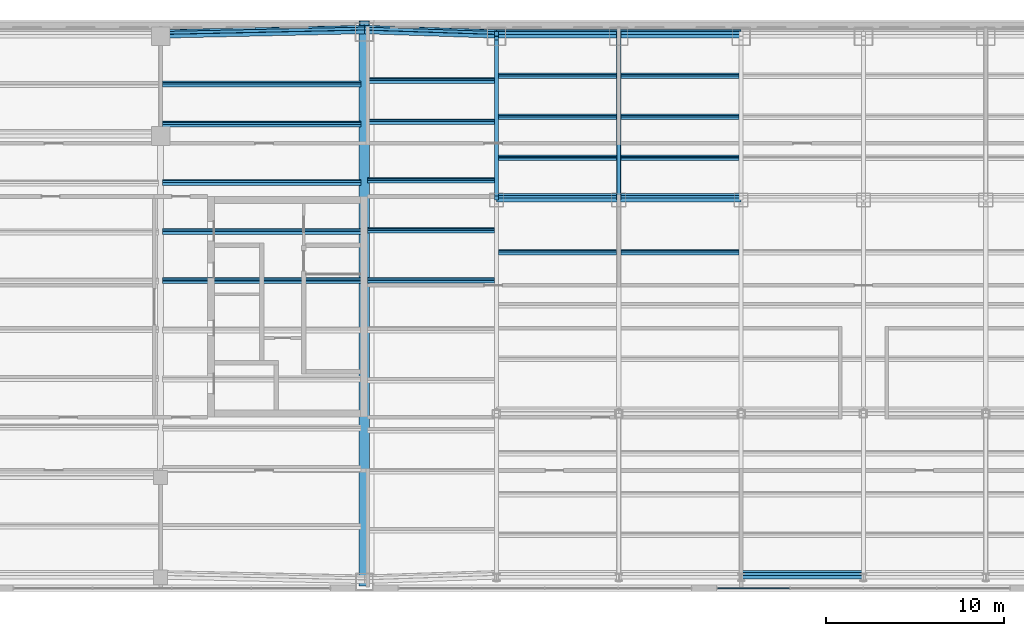
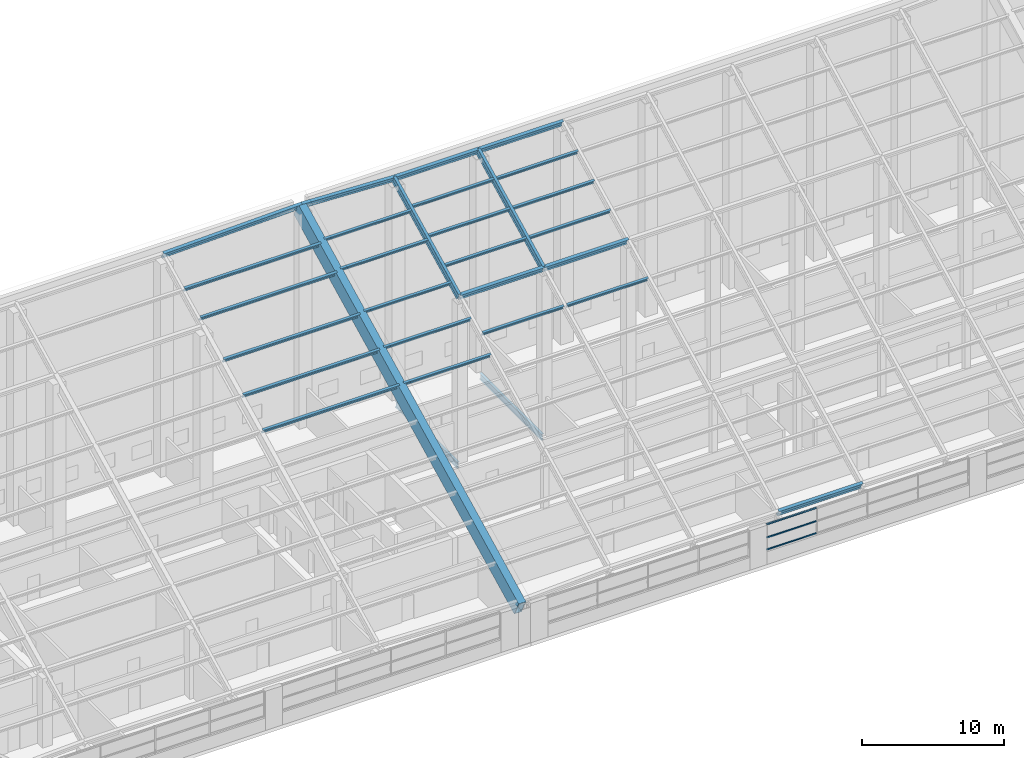
# One storey, part 9 of 28: 31 members, 2 beams, 1 element without a shape of its own.
"""IFC4 building model written with IfcOpenShell, lengths in metres."""

import ifcopenshell
import ifcopenshell.guid

model = None  # the IFC model being written
_history = None  # IfcOwnerHistory: only IFC2X3 demands one
_inside = {}  # id of a spatial element -> (the spatial element, [elements in it])
_under = {}  # id of a project, library or spatial element -> (it, [spatial elements below it])
_declared = {}  # id of a project -> (the project, [libraries it declares])
_typed = {}  # id of a type object -> (the type object, [elements of that type])
_made_of = {}  # id of a material, layer set ... -> (it, [elements and type objects made of it])


def new_model(schema):
    """Start an empty IFC model of exactly this schema.

    Asked for "IFC4X3", IfcOpenShell would pick the latest addendum, in which some entities
    have other attributes; the version numbers below select the first issue.
    IFC2X3 requires an IfcOwnerHistory on every rooted entity: one is made here for all.
    """
    global model, _history
    if schema == "IFC4X3":
        model = ifcopenshell.file(schema_version=(4, 3, 0, 0))
    else:
        model = ifcopenshell.file(schema=schema)
    _inside.clear()
    _under.clear()
    _declared.clear()
    _typed.clear()
    _made_of.clear()
    _history = None
    if model.schema == "IFC2X3":
        org = make("IfcOrganization", Name="unknown")
        user = make(
            "IfcPersonAndOrganization",
            ThePerson=make("IfcPerson", FamilyName="unknown"),
            TheOrganization=org,
        )
        app = make(
            "IfcApplication",
            ApplicationDeveloper=org,
            Version="unknown",
            ApplicationFullName="unknown",
            ApplicationIdentifier="unknown",
        )
        _history = make(
            "IfcOwnerHistory",
            OwningUser=user,
            OwningApplication=app,
            ChangeAction="ADDED",
            CreationDate=0,
        )
    return model


def make(cls, **values):
    """One entity of the class cls with the attributes given. An attribute that is None is left unset."""
    return model.create_entity(
        cls, **{name: value for name, value in values.items() if value is not None}
    )


def rooted(cls, **values):
    """An entity with a GlobalId (a new one), such as an element, a storey or a relation."""
    return make(cls, GlobalId=ifcopenshell.guid.new(), OwnerHistory=_history, **values)


def si_unit(unit_type, name, prefix=None):
    """IfcSIUnit, for example si_unit("LENGTHUNIT", "METRE", prefix="MILLI")."""
    return make("IfcSIUnit", UnitType=unit_type, Prefix=prefix, Name=name)


def assignment(units):
    """IfcUnitAssignment: the units of a project."""
    return None if units is None else make("IfcUnitAssignment", Units=units)


def point(xyz):
    """IfcCartesianPoint."""
    return None if xyz is None else make("IfcCartesianPoint", Coordinates=xyz)


def direction(xyz):
    """IfcDirection."""
    return None if xyz is None else make("IfcDirection", DirectionRatios=xyz)


def frame(location, z_axis=None, x_axis=None):
    """IfcAxis2Placement3D, a coordinate frame: its origin and axes. An axis left out is left unset."""
    return make(
        "IfcAxis2Placement3D",
        Location=point(location),
        Axis=direction(z_axis),
        RefDirection=direction(x_axis),
    )


def frame_2d(location, x_axis=None):
    """IfcAxis2Placement2D, a coordinate frame in the plane: its origin and x axis."""
    return make(
        "IfcAxis2Placement2D", Location=point(location), RefDirection=direction(x_axis)
    )


def origin():
    """The frame at (0, 0, 0) with its axes left unset."""
    return frame((0.0, 0.0, 0.0))


def origin_2d():
    """The frame at (0, 0) in the plane with its x axis left unset."""
    return frame_2d((0.0, 0.0))


def place(relative_to, where):
    """IfcLocalPlacement: puts the frame where relative to a parent placement (None: the world)."""
    return make(
        "IfcLocalPlacement", PlacementRelTo=relative_to, RelativePlacement=where
    )


def context(
    kind, dimensions, precision=None, world=None, true_north=None, identifier=None
):
    """IfcGeometricRepresentationContext, for example the 3D "Model" context."""
    return make(
        "IfcGeometricRepresentationContext",
        ContextIdentifier=identifier,
        ContextType=kind,
        CoordinateSpaceDimension=dimensions,
        Precision=precision,
        WorldCoordinateSystem=world,
        TrueNorth=true_north,
    )


def subcontext(parent, identifier, kind, view, scale=None):
    """IfcGeometricRepresentationSubContext, for example "Body" below "Model"."""
    return make(
        "IfcGeometricRepresentationSubContext",
        ContextIdentifier=identifier,
        ContextType=kind,
        ParentContext=parent,
        TargetScale=scale,
        TargetView=view,
    )


def project(units=None, contexts=None):
    """IfcProject with its units and contexts."""
    return rooted(
        "IfcProject",
        Name="project",
        RepresentationContexts=contexts,
        UnitsInContext=assignment(units),
    )


def spatial(cls, under=None, at=None, **own):
    """A site, building, storey or space (cls), placed at a placement, below another one or the project."""
    s = rooted(cls, ObjectPlacement=at, **own)
    if under is not None:
        _under.setdefault(under.id(), (under, []))[1].append(s)
    return s


def profile(cls, at=None, kind="AREA", **sizes):
    """A parametric profile (cls). Its sizes go by their IFC names, for example OverallWidth=200.0."""
    return make(cls, ProfileType=kind, Position=at, **sizes)


def rectangle(**sizes):
    """IfcRectangleProfileDef."""
    return profile("IfcRectangleProfileDef", **sizes)


def hollow_rectangle(**sizes):
    """IfcRectangleHollowProfileDef."""
    return profile("IfcRectangleHollowProfileDef", **sizes)


def i_section(**sizes):
    """IfcIShapeProfileDef."""
    return profile("IfcIShapeProfileDef", **sizes)


def extrude(swept, where, along, depth):
    """IfcExtrudedAreaSolid: the profile swept, set in the frame where, extruded along a direction by depth."""
    return make(
        "IfcExtrudedAreaSolid",
        SweptArea=swept,
        Position=where,
        ExtrudedDirection=direction(along),
        Depth=depth,
    )


def shape(context_of_items, identifier, shape_type, items):
    """IfcShapeRepresentation: the items that make up one representation, for example the "Body"."""
    return make(
        "IfcShapeRepresentation",
        ContextOfItems=context_of_items,
        RepresentationIdentifier=identifier,
        RepresentationType=shape_type,
        Items=items,
    )


def material(Name=None, Category=None):
    """IfcMaterial."""
    return make("IfcMaterial", Name=Name, Category=Category)


def material_profile(
    of_material, cross_section, Name=None, Category=None, Priority=None
):
    """IfcMaterialProfile: a cross section and its material."""
    return make(
        "IfcMaterialProfile",
        Name=Name,
        Material=of_material,
        Profile=cross_section,
        Priority=Priority,
        Category=Category,
    )


def profile_set(profiles, Name=None, composite=None):
    """IfcMaterialProfileSet."""
    return make(
        "IfcMaterialProfileSet",
        Name=Name,
        MaterialProfiles=profiles,
        CompositeProfile=composite,
    )


def made_of(thing, what):
    """Note that an element or type object is made of a material, layer set ...; save() writes the relation."""
    if what is not None:
        _made_of.setdefault(what.id(), (what, []))[1].append(thing)
    return thing


def type_object(cls, material=None, **own):
    """A type object (cls), such as IfcWallType, which elements share."""
    return made_of(rooted(cls, **own), material)


def element(
    cls,
    number,
    at=None,
    inside=None,
    cuts=None,
    type_object=None,
    material=None,
    context=None,
    identifier="Body",
    shape_type=None,
    held_by="IfcProductDefinitionShape",
    body=None,
    shapes=None,
    **own,
):
    """One element of the class cls, such as IfcWall. Its Tag is "e" and its number.

    at: its placement. inside: the storey or other place that contains it. cuts: it is an
    opening in that element (IfcRelVoidsElement). A single representation is given by context,
    identifier, shape_type and body (its items); several are given by shapes. held_by: the class
    of the entity that holds the representations. save() writes the other relations.
    """
    e = rooted(cls, Tag="e%d" % number, ObjectPlacement=at, **own)
    if body is not None:
        shapes = [shape(context, identifier, shape_type, body)]
    if shapes is not None:
        e.Representation = make(held_by, Representations=shapes)
    if inside is not None:
        _inside.setdefault(inside.id(), (inside, []))[1].append(e)
    if cuts is not None:
        rooted(
            "IfcRelVoidsElement", RelatingBuildingElement=cuts, RelatedOpeningElement=e
        )
    if type_object is not None:
        _typed.setdefault(type_object.id(), (type_object, []))[1].append(e)
    return made_of(e, material)


def aggregate(whole, parts):
    """IfcRelAggregates: a whole, such as a stair, and the parts it consists of."""
    return rooted("IfcRelAggregates", RelatingObject=whole, RelatedObjects=parts)


def save(model, path):
    """Write the relations noted so far, then the file.

    IfcRelAggregates (storeys below a building ...), IfcRelContainedInSpatialStructure (elements
    in a storey), IfcRelDefinesByType, IfcRelAssociatesMaterial and IfcRelDeclares: one each for
    every whole, place, type object, material and project.
    """
    for whole, parts in _under.values():
        aggregate(whole, parts)
    for where, things in _inside.values():
        rooted(
            "IfcRelContainedInSpatialStructure",
            RelatedElements=things,
            RelatingStructure=where,
        )
    for kind, things in _typed.values():
        rooted("IfcRelDefinesByType", RelatedObjects=things, RelatingType=kind)
    for what, things in _made_of.values():
        rooted("IfcRelAssociatesMaterial", RelatedObjects=things, RelatingMaterial=what)
    for by, libraries in _declared.values():
        rooted("IfcRelDeclares", RelatingContext=by, RelatedDefinitions=libraries)
    model.write(path)


model = new_model("IFC4")

# Units and contexts
model_context = context("Model", 3, precision=1e-05, world=origin(), true_north=direction((0.0, 1.0)))
body_context = subcontext(model_context, "Body", "Model", "MODEL_VIEW")
ifc_project = project(units=[si_unit("LENGTHUNIT", "METRE"), si_unit("AREAUNIT", "SQUARE_METRE"), si_unit("VOLUMEUNIT", "CUBIC_METRE"), si_unit("PLANEANGLEUNIT", "RADIAN"), si_unit("MASSUNIT", "GRAM", prefix="KILO")], contexts=[model_context])

# Site, building, storey
site_placement = place(None, origin())
site = spatial("IfcSite", under=ifc_project, at=site_placement, CompositionType="ELEMENT")
building_placement = place(site_placement, origin())
building = spatial("IfcBuilding", under=site, at=building_placement, Name="Tuart Gate Housing", CompositionType="ELEMENT")
storey_placement = place(building_placement, frame((0.0, 0.0, 243.89990234375)))
storey = spatial("IfcBuildingStorey", under=building, at=storey_placement, Name="L68", CompositionType="ELEMENT", Elevation=243.89990234375)

# Members
ifc_material_1 = material(Name="Steel Grade 350", Category="steel")
ifc_material_profile_1 = material_profile(ifc_material_1, i_section(OverallWidth=0.22900390625, OverallDepth=0.612060546875, WebThickness=0.011962890625, FlangeThickness=0.01953125, at=origin_2d()), Name="610UB125")
ifc_profile_set_1 = profile_set([ifc_material_profile_1], Name="Steel Grade 350")
member_type_1 = type_object("IfcMemberType", Name="Crown purlin 610 UB125", PredefinedType="PURLIN", material=ifc_profile_set_1)
for number, where, z_axis, x_axis, name in (
    (1, (96.625, 54.936767578125, 3.426513671875), (1.0, 0.0, 0.0), (0.0, 0.89442680992, 0.44721435766), "Crown purlin 9"),
    (2, (82.875, 76.13671875, 14.0263671875), (1.0, 0.0, 0.0), (0.0, 0.89442680992, 0.44721435766), "Crown purlin 25"),
    (3, (89.75, 76.13671875, 14.0263671875), (1.0, 0.0, 0.0), (0.0, 0.89442680992, 0.44721435766), "Crown purlin 26"),
):
    element("IfcMember", number, at=place(storey_placement, frame(where, z_axis=z_axis, x_axis=x_axis)), inside=storey, type_object=member_type_1, Name=name, PredefinedType="PURLIN", context=body_context, shape_type="SweptSolid", body=[
        extrude(i_section(OverallWidth=0.22900390625, OverallDepth=0.612060546875, WebThickness=0.011962890625, FlangeThickness=0.01953125, at=origin_2d()), origin(), (0.0, 0.0, 1.0), 6.875),
    ])
member_1_placement = place(storey_placement, frame((75.449951171875, 85.5869140625, 18.75146484375), z_axis=(0.999292216984, -0.03364598133, -0.016822990665), x_axis=(0.037617349195, 0.893667083504, 0.44715106944)))
element("IfcMember", 4, at=member_1_placement, inside=storey, type_object=member_type_1, Name="Crown purlin 47", PredefinedType="PURLIN", context=body_context, shape_type="SweptSolid", body=[
    extrude(i_section(OverallWidth=0.22900390625, OverallDepth=0.612060546875, WebThickness=0.011962890625, FlangeThickness=0.01953125, at=origin_2d()), origin(), (0.0, 0.0, 1.0), 7.430419921875),
])
for number, where, z_axis, x_axis, name in (
    (5, (82.875, 85.3369140625, 18.62646484375), (1.0, 0.0, 0.0), (0.0, 0.89442680992, 0.44721435766), "Crown purlin 37"),
    (6, (89.75, 85.3369140625, 18.62646484375), (1.0, 0.0, 0.0), (0.0, 0.89442680992, 0.44721435766), "Crown purlin 38"),
):
    element("IfcMember", number, at=place(storey_placement, frame(where, z_axis=z_axis, x_axis=x_axis)), inside=storey, type_object=member_type_1, Name=name, PredefinedType="PURLIN", context=body_context, shape_type="SweptSolid", body=[
        extrude(i_section(OverallWidth=0.22900390625, OverallDepth=0.612060546875, WebThickness=0.011962890625, FlangeThickness=0.01953125, at=origin_2d()), origin(), (0.0, 0.0, 1.0), 6.875),
    ])
ifc_material_2 = material(Name="Steel Grade 350", Category="steel")
ifc_material_profile_2 = material_profile(ifc_material_2, i_section(OverallWidth=0.22900390625, OverallDepth=0.612060546875, WebThickness=0.011962890625, FlangeThickness=0.01953125, at=origin_2d()), Name="610UB125")
ifc_profile_set_2 = profile_set([ifc_material_profile_2], Name="Steel Grade 350")
member_type_2 = type_object("IfcMemberType", Name="Crown purlin 610 UB125 (11.5-13.5 m)", PredefinedType="PURLIN", material=ifc_profile_set_2)
member_2_placement = place(storey_placement, frame((64.0, 85.3369140625, 18.62646484375), z_axis=(0.999702176669, 0.021827651526, 0.010913825763), x_axis=(-0.024404056125, 0.894107142767, 0.447187722659)))
element("IfcMember", 7, at=member_2_placement, inside=storey, type_object=member_type_2, Name="Crown purlin 36", PredefinedType="PURLIN", context=body_context, shape_type="SweptSolid", body=[
    extrude(i_section(OverallWidth=0.22900390625, OverallDepth=0.612060546875, WebThickness=0.011962890625, FlangeThickness=0.01953125, at=origin_2d()), origin(), (0.0, 0.0, 1.0), 11.453369140625),
])
ifc_material_3 = material(Name="Steel Grade 350", Category="steel")
ifc_material_profile_3 = material_profile(ifc_material_3, i_section(OverallWidth=0.22900390625, OverallDepth=0.612060546875, WebThickness=0.011962890625, FlangeThickness=0.01953125, at=origin_2d()), Name="610UB125")
ifc_profile_set_3 = profile_set([ifc_material_profile_3], Name="Steel Grade 350")
member_type_3 = type_object("IfcMemberType", Name="Crown rafter 610 UB125 (10.3-10.6 m)", PredefinedType="RAFTER", material=ifc_profile_set_3)
for number, where, z_axis, x_axis, name in (
    (8, (82.875, 76.13671875, 14.0263671875), (0.0, 0.894427191, 0.4472135955), (-1.0, 0.0, 0.0), "Crown rafter 14"),
    (9, (89.75, 76.13671875, 14.0263671875), (0.0, 0.894427191, 0.4472135955), (-1.0, 0.0, 0.0), "Crown rafter 17"),
):
    element("IfcMember", number, at=place(storey_placement, frame(where, z_axis=z_axis, x_axis=x_axis)), inside=storey, type_object=member_type_3, Name=name, PredefinedType="RAFTER", context=body_context, shape_type="SweptSolid", body=[
        extrude(i_section(OverallWidth=0.22900390625, OverallDepth=0.612060546875, WebThickness=0.011962890625, FlangeThickness=0.01953125, at=origin_2d()), origin(), (0.0, 0.0, 1.0), 10.2861328125),
    ])
ifc_material_4 = material(Name="Steel Grade 350", Category="steel")
ifc_material_profile_4 = material_profile(ifc_material_4, hollow_rectangle(XDim=0.60009765625, YDim=1.39990234375, WallThickness=0.0419921875, at=origin_2d()), Name="BOX 1400x600x42")
ifc_profile_set_4 = profile_set([ifc_material_profile_4], Name="Steel Grade 350")
member_type_4 = type_object("IfcMemberType", Name="Crown rafter BOX 1400x600x42", PredefinedType="RAFTER", material=ifc_profile_set_4)
member_3_placement = place(storey_placement, frame((75.449951171875, 54.613037109375, 2.823974609375), z_axis=(0.0, 0.894427191, 0.4472135955), x_axis=(-1.0, 0.0, 0.0)))
element("IfcMember", 10, at=member_3_placement, inside=storey, type_object=member_type_4, Name="Crown rafter 11", PredefinedType="RAFTER", context=body_context, shape_type="SweptSolid", body=[
    extrude(hollow_rectangle(XDim=0.60009765625, YDim=1.39990234375, WallThickness=0.0419921875, at=origin_2d()), origin(), (0.0, 0.0, 1.0), 34.82666015625),
])
ifc_material_5 = material(Name="Steel Grade 350", Category="steel")
ifc_material_profile_5 = material_profile(ifc_material_5, i_section(OverallWidth=0.1708984375, OverallDepth=0.35205078125, WebThickness=0.0068359375, FlangeThickness=0.009765625, at=origin_2d()), Name="360UB44.7")
ifc_profile_set_5 = profile_set([ifc_material_profile_5], Name="Steel Grade 350")
member_type_5 = type_object("IfcMemberType", Name="Crown secondary purlin 360 UB44.7", PredefinedType="PURLIN", material=ifc_profile_set_5)
member_4_placement = place(storey_placement, frame((75.625, 71.483154296875, 11.844970703125), z_axis=(1.0, 0.0, 0.0), x_axis=(0.0, 0.89442680992, 0.44721435766)))
element("IfcMember", 11, at=member_4_placement, inside=storey, type_object=member_type_5, Name="Crown secondary purlin 77", PredefinedType="PURLIN", context=body_context, shape_type="SweptSolid", body=[
    extrude(i_section(OverallWidth=0.1708984375, OverallDepth=0.35205078125, WebThickness=0.0068359375, FlangeThickness=0.009765625, at=origin_2d()), origin(), (0.0, 0.0, 1.0), 7.135498046875),
])
for number, where, z_axis, x_axis, name in (
    (12, (82.989501953125, 73.07861328125, 12.642578125), (1.0, 0.0, 0.0), (0.0, 0.89442680992, 0.44721435766), "Crown secondary purlin 82"),
    (13, (89.864501953125, 73.07861328125, 12.642578125), (1.0, 0.0, 0.0), (0.0, 0.89442680992, 0.44721435766), "Crown secondary purlin 83"),
):
    element("IfcMember", number, at=place(storey_placement, frame(where, z_axis=z_axis, x_axis=x_axis)), inside=storey, type_object=member_type_5, Name=name, PredefinedType="PURLIN", context=body_context, shape_type="SweptSolid", body=[
        extrude(i_section(OverallWidth=0.1708984375, OverallDepth=0.35205078125, WebThickness=0.0068359375, FlangeThickness=0.009765625, at=origin_2d()), origin(), (0.0, 0.0, 1.0), 6.64599609375),
    ])
for number, where, z_axis, x_axis, name in (
    (14, (75.625, 74.292236328125, 13.24951171875), (1.0, 0.0, 0.0), (0.0, 0.89442680992, 0.44721435766), "Crown secondary purlin 95"),
    (15, (75.625, 77.101318359375, 14.654052734375), (1.0, 0.0, 0.0), (0.0, 0.89442680992, 0.44721435766), "Crown secondary purlin 104"),
):
    element("IfcMember", number, at=place(storey_placement, frame(where, z_axis=z_axis, x_axis=x_axis)), inside=storey, type_object=member_type_5, Name=name, PredefinedType="PURLIN", context=body_context, shape_type="SweptSolid", body=[
        extrude(i_section(OverallWidth=0.1708984375, OverallDepth=0.35205078125, WebThickness=0.0068359375, FlangeThickness=0.009765625, at=origin_2d()), origin(), (0.0, 0.0, 1.0), 7.135498046875),
    ])
for number, where, z_axis, x_axis, name in (
    (16, (82.989501953125, 78.378662109375, 15.292724609375), (1.0, 0.0, 0.0), (0.0, 0.89442680992, 0.44721435766), "Crown secondary purlin 106"),
    (17, (89.864501953125, 78.378662109375, 15.292724609375), (1.0, 0.0, 0.0), (0.0, 0.89442680992, 0.44721435766), "Crown secondary purlin 107"),
):
    element("IfcMember", number, at=place(storey_placement, frame(where, z_axis=z_axis, x_axis=x_axis)), inside=storey, type_object=member_type_5, Name=name, PredefinedType="PURLIN", context=body_context, shape_type="SweptSolid", body=[
        extrude(i_section(OverallWidth=0.1708984375, OverallDepth=0.35205078125, WebThickness=0.0068359375, FlangeThickness=0.009765625, at=origin_2d()), origin(), (0.0, 0.0, 1.0), 6.64599609375),
    ])
member_5_placement = place(storey_placement, frame((75.625, 80.410400390625, 16.30859375), z_axis=(1.0, 0.0, 0.0), x_axis=(0.0, 0.89442680992, 0.44721435766)))
element("IfcMember", 18, at=member_5_placement, inside=storey, type_object=member_type_5, Name="Crown secondary purlin 116", PredefinedType="PURLIN", context=body_context, shape_type="SweptSolid", body=[
    extrude(i_section(OverallWidth=0.1708984375, OverallDepth=0.35205078125, WebThickness=0.0068359375, FlangeThickness=0.009765625, at=origin_2d()), origin(), (0.0, 0.0, 1.0), 7.135498046875),
])
for number, where, z_axis, x_axis, name in (
    (19, (82.989501953125, 80.6787109375, 16.442626953125), (1.0, 0.0, 0.0), (0.0, 0.89442680992, 0.44721435766), "Crown secondary purlin 118"),
    (20, (89.864501953125, 80.6787109375, 16.442626953125), (1.0, 0.0, 0.0), (0.0, 0.89442680992, 0.44721435766), "Crown secondary purlin 119"),
):
    element("IfcMember", number, at=place(storey_placement, frame(where, z_axis=z_axis, x_axis=x_axis)), inside=storey, type_object=member_type_5, Name=name, PredefinedType="PURLIN", context=body_context, shape_type="SweptSolid", body=[
        extrude(i_section(OverallWidth=0.1708984375, OverallDepth=0.35205078125, WebThickness=0.0068359375, FlangeThickness=0.009765625, at=origin_2d()), origin(), (0.0, 0.0, 1.0), 6.64599609375),
    ])
member_6_placement = place(storey_placement, frame((75.625, 82.719482421875, 17.463134765625), z_axis=(1.0, 0.0, 0.0), x_axis=(0.0, 0.89442680992, 0.44721435766)))
element("IfcMember", 21, at=member_6_placement, inside=storey, type_object=member_type_5, Name="Crown secondary purlin 131", PredefinedType="PURLIN", context=body_context, shape_type="SweptSolid", body=[
    extrude(i_section(OverallWidth=0.1708984375, OverallDepth=0.35205078125, WebThickness=0.0068359375, FlangeThickness=0.009765625, at=origin_2d()), origin(), (0.0, 0.0, 1.0), 7.135498046875),
])
for number, where, z_axis, x_axis, name in (
    (22, (82.989501953125, 82.978759765625, 17.5927734375), (1.0, 0.0, 0.0), (0.0, 0.89442680992, 0.44721435766), "Crown secondary purlin 133"),
    (23, (89.864501953125, 82.978759765625, 17.5927734375), (1.0, 0.0, 0.0), (0.0, 0.89442680992, 0.44721435766), "Crown secondary purlin 134"),
):
    element("IfcMember", number, at=place(storey_placement, frame(where, z_axis=z_axis, x_axis=x_axis)), inside=storey, type_object=member_type_5, Name=name, PredefinedType="PURLIN", context=body_context, shape_type="SweptSolid", body=[
        extrude(i_section(OverallWidth=0.1708984375, OverallDepth=0.35205078125, WebThickness=0.0068359375, FlangeThickness=0.009765625, at=origin_2d()), origin(), (0.0, 0.0, 1.0), 6.64599609375),
    ])
ifc_material_6 = material(Name="Steel Grade 350", Category="steel")
ifc_material_profile_6 = material_profile(ifc_material_6, i_section(OverallWidth=0.177978515625, OverallDepth=0.403076171875, WebThickness=0.007568359375, FlangeThickness=0.010986328125, at=origin_2d()), Name="410UB53.7")
ifc_profile_set_6 = profile_set([ifc_material_profile_6], Name="Steel Grade 350")
member_type_6 = type_object("IfcMemberType", Name="Crown secondary purlin 410 UB53.7", PredefinedType="PURLIN", material=ifc_profile_set_6)
for number, where, z_axis, x_axis, name in (
    (24, (64.114501953125, 71.471923828125, 11.810791015625), (1.0, 0.0, 0.0), (0.0, 0.89442680992, 0.44721435766), "Crown secondary purlin 76"),
    (25, (64.114501953125, 74.235595703125, 13.192626953125), (1.0, 0.0, 0.0), (0.0, 0.89442680992, 0.44721435766), "Crown secondary purlin 90"),
    (26, (64.114501953125, 76.999267578125, 14.574462890625), (1.0, 0.0, 0.0), (0.0, 0.89442680992, 0.44721435766), "Crown secondary purlin 99"),
    (27, (64.114501953125, 80.2626953125, 16.206298828125), (1.0, 0.0, 0.0), (0.0, 0.89442680992, 0.44721435766), "Crown secondary purlin 112"),
    (28, (64.114501953125, 82.526611328125, 17.338134765625), (1.0, 0.0, 0.0), (0.0, 0.89442680992, 0.44721435766), "Crown secondary purlin 126"),
):
    element("IfcMember", number, at=place(storey_placement, frame(where, z_axis=z_axis, x_axis=x_axis)), inside=storey, type_object=member_type_6, Name=name, PredefinedType="PURLIN", context=body_context, shape_type="SweptSolid", body=[
        extrude(i_section(OverallWidth=0.177978515625, OverallDepth=0.403076171875, WebThickness=0.007568359375, FlangeThickness=0.010986328125, at=origin_2d()), origin(), (0.0, 0.0, 1.0), 11.160400390625),
    ])

# Beams
ifc_material_7 = material(Name="Steel Grade 350", Category="steel")
ifc_material_profile_7 = material_profile(ifc_material_7, i_section(OverallWidth=0.208984375, OverallDepth=0.532958984375, WebThickness=0.01025390625, FlangeThickness=0.015625, at=origin_2d()), Name="530UB92.4")
ifc_profile_set_7 = profile_set([ifc_material_profile_7], Name="Steel Grade 350")
beam_type = type_object("IfcBeamType", Name="Floor beam 530 UB92.4", PredefinedType="BEAM", material=ifc_profile_set_7)
for number, where, z_axis, x_axis, name in (
    (29, (82.875, 76.215087890625, -0.56689453125), (0.0, 1.0, 0.0), (-1.0, 0.0, 0.0), "Block floor beam L68 bay 1 position 3"),
    (30, (89.75, 76.215087890625, -0.56689453125), (0.0, 1.0, 0.0), (-1.0, 0.0, 0.0), "Block floor beam L68 bay 2 position 3"),
):
    element("IfcBeam", number, at=place(storey_placement, frame(where, z_axis=z_axis, x_axis=x_axis)), inside=storey, type_object=beam_type, Name=name, PredefinedType="BEAM", context=body_context, shape_type="SweptSolid", body=[
        extrude(i_section(OverallWidth=0.208984375, OverallDepth=0.532958984375, WebThickness=0.01025390625, FlangeThickness=0.015625, at=origin_2d()), origin(), (0.0, 0.0, 1.0), 8.77001953125),
    ])

# Curtain wall, members
ifc_material_8 = material(Name="Aluminium and clear glass", Category="aluminium")
curtain_wall_type = type_object("IfcCurtainWallType", Name="Crown clerestory glazing", PredefinedType="USERDEFINED", material=ifc_material_8)
curtain_wall_placement = place(storey_placement, origin())
curtain_wall = element("IfcCurtainWall", 31, at=curtain_wall_placement, inside=storey, type_object=curtain_wall_type, Name="Crown clerestory glazing BLK-S L68", ObjectType="CROWN CLERESTORY GLAZING", PredefinedType="USERDEFINED")
ifc_material_9 = material(Name="Anodised aluminium", Category="aluminium")
ifc_material_profile_8 = material_profile(ifc_material_9, rectangle(XDim=0.06005859375, YDim=0.1201171875, at=origin_2d()), Name="60x120")
ifc_profile_set_8 = profile_set([ifc_material_profile_8], Name="Anodised aluminium")
member_type_7 = type_object("IfcMemberType", Name="Transom 60 x 120", PredefinedType="USERDEFINED", material=ifc_profile_set_8)
member_7_placement = place(storey_placement, frame((95.31005859375, 54.179931640625, 1.16015625), z_axis=(1.0, 0.0, 0.0), x_axis=(0.0, 1.0, 0.0)))
member_7 = element("IfcMember", 32, at=member_7_placement, type_object=member_type_7, Name="CW6 transom 1.1", ObjectType="TRANSOM", PredefinedType="USERDEFINED", context=body_context, shape_type="SweptSolid", body=[
    extrude(rectangle(XDim=0.06005859375, YDim=0.1201171875, at=origin_2d()), origin(), (0.0, 0.0, 1.0), 4.034912109375),
])
member_8_placement = place(storey_placement, frame((95.31005859375, 54.179931640625, 2.2001953125), z_axis=(1.0, 0.0, 0.0), x_axis=(0.0, 1.0, 0.0)))
member_8 = element("IfcMember", 33, at=member_8_placement, type_object=member_type_7, Name="CW6 transom 1.2", ObjectType="TRANSOM", PredefinedType="USERDEFINED", context=body_context, shape_type="SweptSolid", body=[
    extrude(rectangle(XDim=0.06005859375, YDim=0.1201171875, at=origin_2d()), origin(), (0.0, 0.0, 1.0), 4.034912109375),
])
member_9_placement = place(storey_placement, frame((95.31005859375, 54.179931640625, 3.330078125), z_axis=(1.0, 0.0, 0.0), x_axis=(0.0, 1.0, 0.0)))
member_9 = element("IfcMember", 34, at=member_9_placement, type_object=member_type_7, Name="CW6 transom 1.3", ObjectType="TRANSOM", PredefinedType="USERDEFINED", context=body_context, shape_type="SweptSolid", body=[
    extrude(rectangle(XDim=0.06005859375, YDim=0.1201171875, at=origin_2d()), origin(), (0.0, 0.0, 1.0), 4.034912109375),
])
aggregate(curtain_wall, [member_7, member_8, member_9])

save(model, "model.ifc")
